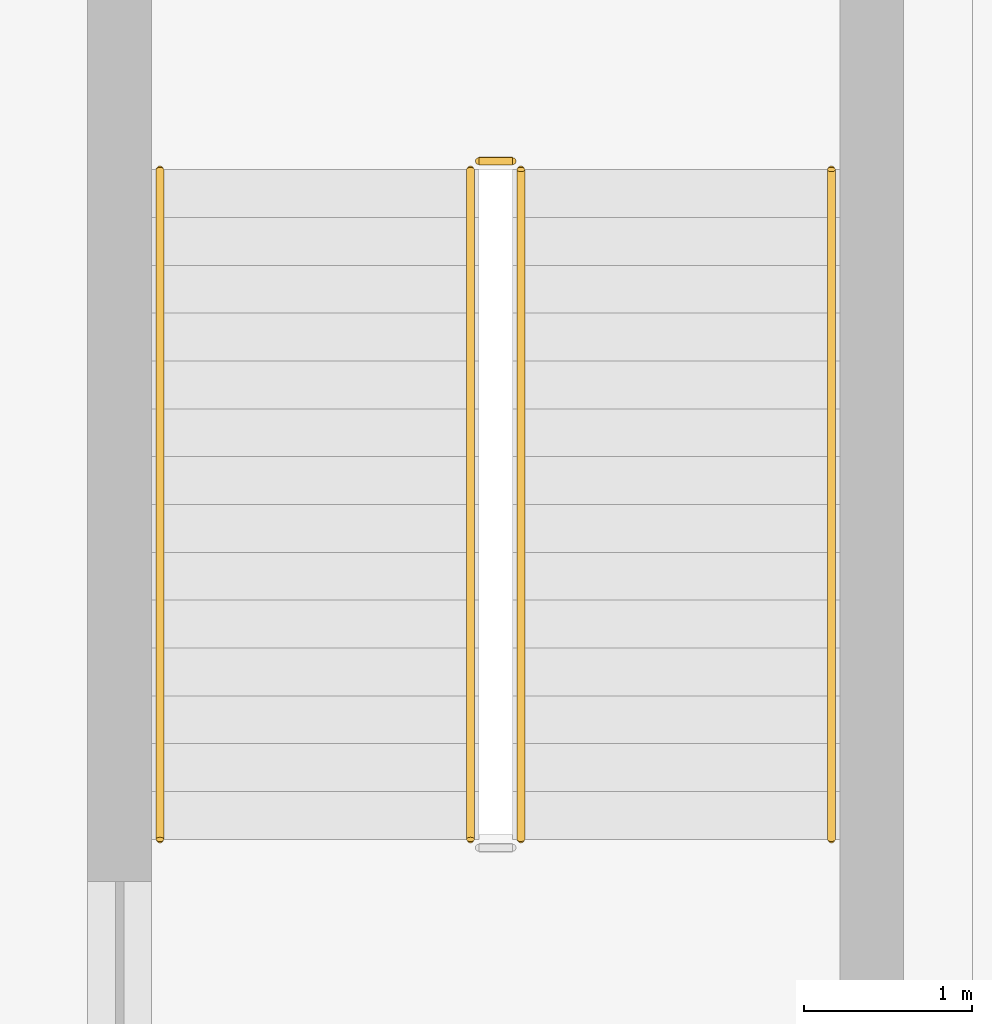
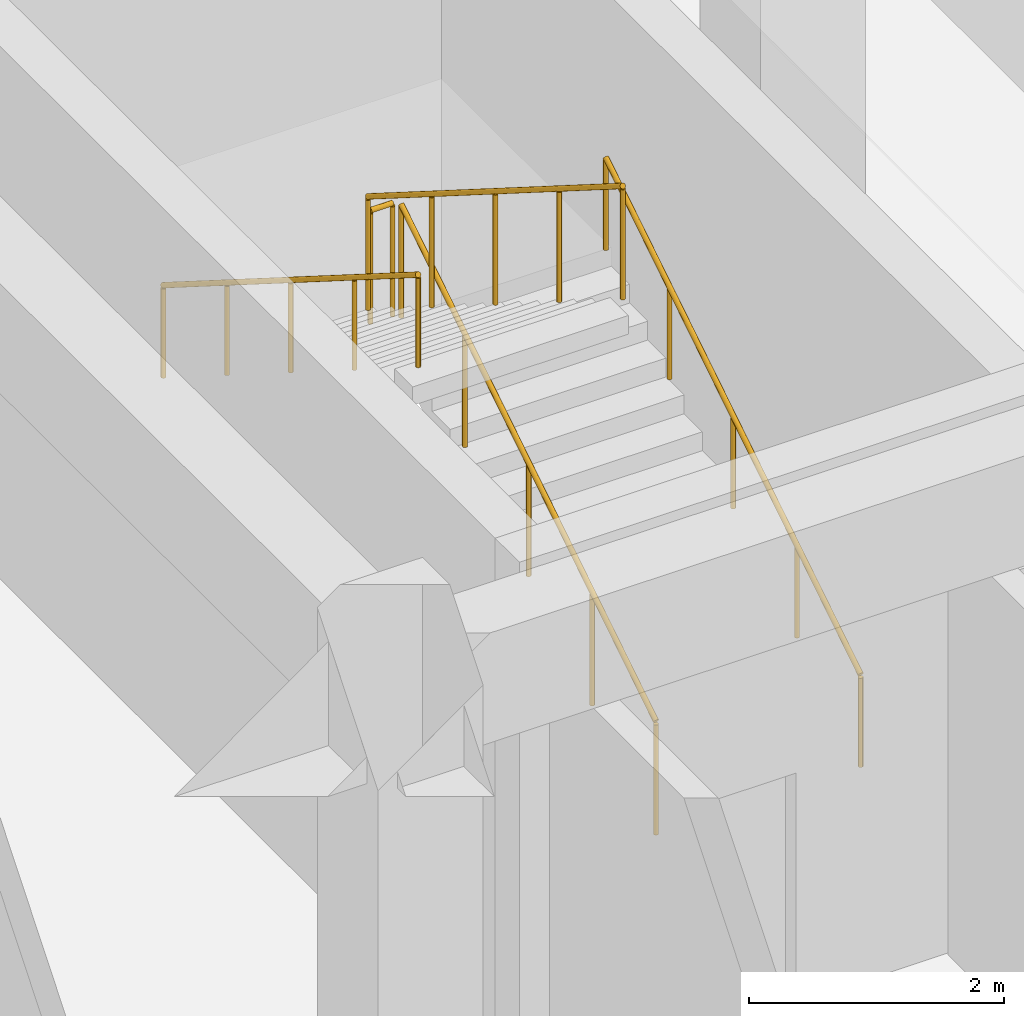
# One storey, part 59 of 74: 5 railings.
"""IFC4 building model written with IfcOpenShell, lengths in metres."""

from ifc_helpers import new_model, si_unit, direction, frame, origin, origin_2d, place, context, subcontext, project, spatial, circle, extrude, material, type_object, element, save


model = new_model("IFC4")

# Units and contexts
model_context = context("Model", 3, precision=1e-05, world=origin(), true_north=direction((0.0, 1.0)))
body_context = subcontext(model_context, "Body", "Model", "MODEL_VIEW")
ifc_project = project(units=[si_unit("LENGTHUNIT", "METRE"), si_unit("AREAUNIT", "SQUARE_METRE"), si_unit("VOLUMEUNIT", "CUBIC_METRE"), si_unit("PLANEANGLEUNIT", "RADIAN"), si_unit("MASSUNIT", "GRAM", prefix="KILO")], contexts=[model_context])

# Site, building, storey
site_placement = place(None, origin())
site = spatial("IfcSite", under=ifc_project, at=site_placement, CompositionType="ELEMENT")
building_placement = place(site_placement, origin())
building = spatial("IfcBuilding", under=site, at=building_placement, Name="Cendralis Terraced Arcade", CompositionType="ELEMENT")
storey_placement = place(building_placement, origin())
storey = spatial("IfcBuildingStorey", under=building, at=storey_placement, Name="L00", CompositionType="ELEMENT", Elevation=0.0)

# Railings
ifc_material = material(Name="Brushed stainless steel AISI 316", Category="steel")
railing_type_1 = type_object("IfcRailingType", Name="RL-STAIR-GUARD-1100", PredefinedType="GUARDRAIL", material=ifc_material)
railing_1_placement = place(storey_placement, frame((116.10009765625, 21.949951171875, 0.179931640625)))
element("IfcRailing", 1, at=railing_1_placement, inside=storey, type_object=railing_type_1, Name="L00 ST-09 stair guard 1", PredefinedType="GUARDRAIL", context=body_context, shape_type="SweptSolid", body=[
    extrude(circle(Radius=0.02392578125, at=origin_2d()), frame((0.0, 0.0, 1.076171875), z_axis=(0.0, 0.845486444383, 0.533996884227), x_axis=(-1.0, 0.0, 0.0)), (0.0, 0.0, 1.0), 4.71923828125),
    extrude(circle(Radius=0.02099609375, at=origin_2d()), origin(), (0.0, 0.0, 1.0), 1.052001953125),
    extrude(circle(Radius=0.02099609375, at=origin_2d()), frame((0.0, 0.99755859375, 0.6298828125)), (0.0, 0.0, 1.0), 1.052001953125),
    extrude(circle(Radius=0.02099609375, at=origin_2d()), frame((0.0, 1.9951171875, 1.260009765625)), (0.0, 0.0, 1.0), 1.052001953125),
    extrude(circle(Radius=0.02099609375, at=origin_2d()), frame((0.0, 2.992431640625, 1.89013671875)), (0.0, 0.0, 1.0), 1.052001953125),
    extrude(circle(Radius=0.02099609375, at=origin_2d()), frame((0.0, 3.989990234375, 2.52001953125)), (0.0, 0.0, 1.0), 1.052001953125),
])
railing_2_placement = place(storey_placement, frame((116.050048828125, 25.989990234375, 2.699951171875)))
element("IfcRailing", 2, at=railing_2_placement, inside=storey, type_object=railing_type_1, Name="L00 ST-09 stair guard 2", PredefinedType="GUARDRAIL", context=body_context, shape_type="SweptSolid", body=[
    extrude(circle(Radius=0.02392578125, at=origin_2d()), frame((0.0, 0.0, 1.076171875), z_axis=(-1.0, 0.0, 0.0), x_axis=(0.0, -1.0, 0.0)), (0.0, 0.0, 1.0), 0.199951171875),
    extrude(circle(Radius=0.02099609375, at=origin_2d()), origin(), (0.0, 0.0, 1.0), 1.052001953125),
    extrude(circle(Radius=0.02099609375, at=origin_2d()), frame((-0.199951171875, 0.0, 0.0)), (0.0, 0.0, 1.0), 1.052001953125),
])
railing_3_placement = place(storey_placement, frame((115.800048828125, 25.93994140625, 2.8798828125)))
element("IfcRailing", 3, at=railing_3_placement, inside=storey, type_object=railing_type_1, Name="L00 ST-09 stair guard 3", PredefinedType="GUARDRAIL", context=body_context, shape_type="SweptSolid", body=[
    extrude(circle(Radius=0.02392578125, at=origin_2d()), frame((0.0, 0.0, 1.076171875), z_axis=(0.0, -0.845486444383, 0.533996884227), x_axis=(1.0, 0.0, 0.0)), (0.0, 0.0, 1.0), 4.71923828125),
    extrude(circle(Radius=0.02099609375, at=origin_2d()), origin(), (0.0, 0.0, 1.0), 1.052001953125),
    extrude(circle(Radius=0.02099609375, at=origin_2d()), frame((0.0, -0.99755859375, 0.6298828125)), (0.0, 0.0, 1.0), 1.052001953125),
    extrude(circle(Radius=0.02099609375, at=origin_2d()), frame((0.0, -1.9951171875, 1.260009765625)), (0.0, 0.0, 1.0), 1.052001953125),
    extrude(circle(Radius=0.02099609375, at=origin_2d()), frame((0.0, -2.992431640625, 1.89013671875)), (0.0, 0.0, 1.0), 1.052001953125),
    extrude(circle(Radius=0.02099609375, at=origin_2d()), frame((0.0, -3.989990234375, 2.52001953125)), (0.0, 0.0, 1.0), 1.052001953125),
])
railing_type_2 = type_object("IfcRailingType", Name="RL-STAIR-HAND-900", PredefinedType="HANDRAIL", material=ifc_material)
railing_4_placement = place(storey_placement, frame((117.949951171875, 21.949951171875, 0.179931640625)))
element("IfcRailing", 4, at=railing_4_placement, inside=storey, type_object=railing_type_2, Name="L00 ST-09 stair handrail 1", PredefinedType="HANDRAIL", context=body_context, shape_type="SweptSolid", body=[
    extrude(circle(Radius=0.02392578125, at=origin_2d()), frame((0.0, 0.0, 0.8759765625), z_axis=(0.0, 0.845486444383, 0.533996884227), x_axis=(-1.0, 0.0, 0.0)), (0.0, 0.0, 1.0), 4.71923828125),
    extrude(circle(Radius=0.02099609375, at=origin_2d()), origin(), (0.0, 0.0, 1.0), 0.851806640625),
    extrude(circle(Radius=0.02099609375, at=origin_2d()), frame((0.0, 0.99755859375, 0.6298828125)), (0.0, 0.0, 1.0), 0.851806640625),
    extrude(circle(Radius=0.02099609375, at=origin_2d()), frame((0.0, 1.9951171875, 1.260009765625)), (0.0, 0.0, 1.0), 0.851806640625),
    extrude(circle(Radius=0.02099609375, at=origin_2d()), frame((0.0, 2.992431640625, 1.89013671875)), (0.0, 0.0, 1.0), 0.851806640625),
    extrude(circle(Radius=0.02099609375, at=origin_2d()), frame((0.0, 3.989990234375, 2.52001953125)), (0.0, 0.0, 1.0), 0.851806640625),
])
railing_5_placement = place(storey_placement, frame((113.949951171875, 25.93994140625, 2.8798828125)))
element("IfcRailing", 5, at=railing_5_placement, inside=storey, type_object=railing_type_2, Name="L00 ST-09 stair handrail 2", PredefinedType="HANDRAIL", context=body_context, shape_type="SweptSolid", body=[
    extrude(circle(Radius=0.02392578125, at=origin_2d()), frame((0.0, 0.0, 0.8759765625), z_axis=(0.0, -0.845486444383, 0.533996884227), x_axis=(1.0, 0.0, 0.0)), (0.0, 0.0, 1.0), 4.71923828125),
    extrude(circle(Radius=0.02099609375, at=origin_2d()), origin(), (0.0, 0.0, 1.0), 0.851806640625),
    extrude(circle(Radius=0.02099609375, at=origin_2d()), frame((0.0, -0.99755859375, 0.6298828125)), (0.0, 0.0, 1.0), 0.851806640625),
    extrude(circle(Radius=0.02099609375, at=origin_2d()), frame((0.0, -1.9951171875, 1.260009765625)), (0.0, 0.0, 1.0), 0.851806640625),
    extrude(circle(Radius=0.02099609375, at=origin_2d()), frame((0.0, -2.992431640625, 1.89013671875)), (0.0, 0.0, 1.0), 0.851806640625),
    extrude(circle(Radius=0.02099609375, at=origin_2d()), frame((0.0, -3.989990234375, 2.52001953125)), (0.0, 0.0, 1.0), 0.851806640625),
])

save(model, "model.ifc")
